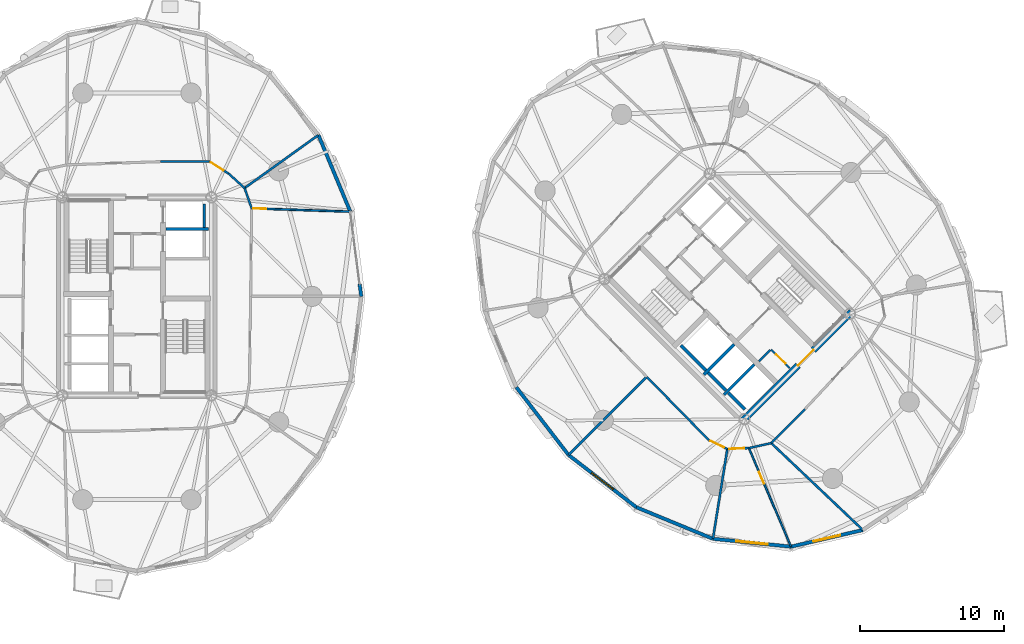
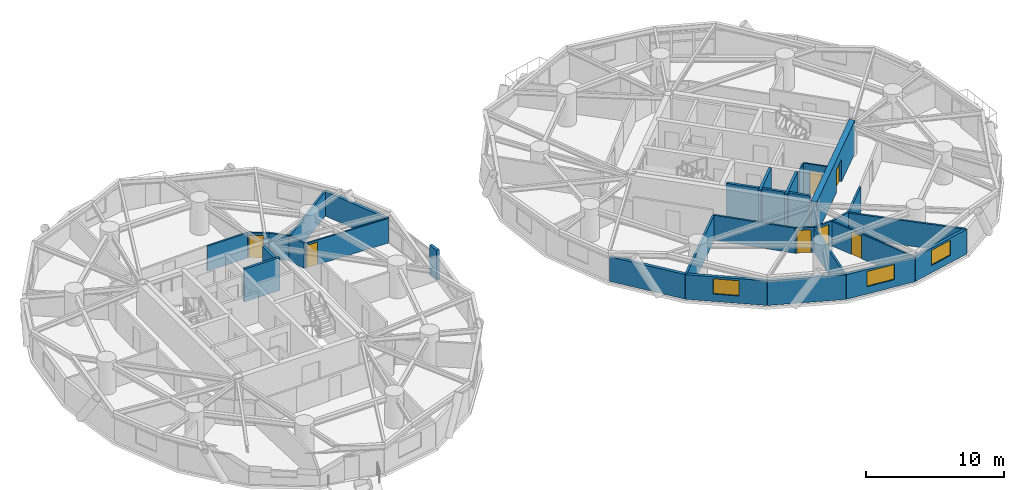
# One storey, part 11 of 17: 32 walls, 7 doors, 3 windows, 10 openings.
"""IFC4 building model written with IfcOpenShell, lengths in metres."""

from ifc_helpers import new_model, si_unit, direction, frame, frame_2d, origin, place, context, subcontext, project, spatial, rectangle, extrude, source, transform, mapped, material, layer, layer_set, type_object, element, fill, save


model = new_model("IFC4")

# Units and contexts
model_context = context("Model", 3, precision=1e-05, world=origin(), true_north=direction((0.0, 1.0)))
body_context = subcontext(model_context, "Body", "Model", "MODEL_VIEW")
ifc_project = project(units=[si_unit("LENGTHUNIT", "METRE"), si_unit("AREAUNIT", "SQUARE_METRE"), si_unit("VOLUMEUNIT", "CUBIC_METRE"), si_unit("PLANEANGLEUNIT", "RADIAN"), si_unit("MASSUNIT", "GRAM", prefix="KILO")], contexts=[model_context])

# Site, building, storey
site_placement = place(None, origin())
site = spatial("IfcSite", under=ifc_project, at=site_placement, CompositionType="ELEMENT")
building_placement = place(site_placement, origin())
building = spatial("IfcBuilding", under=site, at=building_placement, Name="Cununo Teusaquillo Station Towers", CompositionType="ELEMENT")
storey_placement = place(building_placement, frame((0.0, 0.0, 78.8798828125)))
storey = spatial("IfcBuildingStorey", under=building, at=storey_placement, Name="L24", CompositionType="ELEMENT", Elevation=78.8798828125)

# Walls
ifc_material_1 = material(Name="Concrete C50/60", Category="concrete")
ifc_layer_1 = layer(ifc_material_1, 0.199951171875)
ifc_layer_set_1 = layer_set([ifc_layer_1], Name="Concrete C50/60")
wall_type_1 = type_object("IfcWallType", Name="WL-CORE-200", PredefinedType="SHEAR", material=ifc_layer_set_1)
wall_1_placement = place(storey_placement, frame((18.510009765625, 29.175048828125, 0.0), z_axis=(0.0, 0.0, 1.0), x_axis=(1.0, 0.0, 0.0)))
element("IfcWall", 1, at=wall_1_placement, inside=storey, type_object=wall_type_1, Name="L24 Tower A Low-Rise Lift Hoistway Divider Shear Wall", PredefinedType="SHEAR", context=body_context, shape_type="SweptSolid", body=[
    extrude(rectangle(XDim=2.969970703125, YDim=0.199951171875, at=frame_2d((1.48486328125, 0.0))), origin(), (0.0, 0.0, 1.0), 2.91015625),
])
wall_2_placement = place(storey_placement, frame((21.179931640625, 29.294921875, 0.0), z_axis=(0.0, 0.0, 1.0), x_axis=(0.0, 1.0, 0.0)))
element("IfcWall", 2, at=wall_2_placement, inside=storey, type_object=wall_type_1, Name="L24 Tower A Low-Rise Lift 2 Shaft Rear Shear Wall", PredefinedType="SHEAR", context=body_context, shape_type="SweptSolid", body=[
    extrude(rectangle(XDim=1.635009765625, YDim=0.199951171875, at=frame_2d((0.8173828125, 0.0))), origin(), (0.0, 0.0, 1.0), 2.91015625),
])
wall_3_placement = place(storey_placement, frame((55.8876953125, 19.0693359375, 0.0), z_axis=(0.0, 0.0, 1.0), x_axis=(0.707106781187, 0.707106781187, 0.0)))
element("IfcWall", 3, at=wall_3_placement, inside=storey, type_object=wall_type_1, Name="L24 Tower B Firefighting Lift Shaft South Shear Wall", PredefinedType="SHEAR", context=body_context, shape_type="SweptSolid", body=[
    extrude(rectangle(XDim=2.969970703125, YDim=0.199951171875, at=frame_2d((1.48486328125, 0.0))), origin(), (0.0, 0.0, 1.0), 2.91015625),
])
wall_4_placement = place(storey_placement, frame((56.01513671875, 19.366455078125, 0.0), z_axis=(0.0, 0.0, 1.0), x_axis=(-0.707106781187, 0.707106781187, 0.0)))
element("IfcWall", 4, at=wall_4_placement, inside=storey, type_object=wall_type_1, Name="L24 Tower B Firefighting Lift Shaft Rear Shear Wall", PredefinedType="SHEAR", context=body_context, shape_type="SweptSolid", body=[
    extrude(rectangle(XDim=2.43994140625, YDim=0.199951171875, at=frame_2d((1.219970703125, 0.0))), origin(), (0.0, 0.0, 1.0), 2.91015625),
])
wall_5_placement = place(storey_placement, frame((57.2841796875, 17.6728515625, 0.0), z_axis=(0.0, 0.0, 1.0), x_axis=(0.707147878904, 0.70706568108, 0.0)))
element("IfcWall", 5, at=wall_5_placement, inside=storey, type_object=wall_type_1, Name="L24 Tower B High-Rise Lift Hoistway Divider Shear Wall", PredefinedType="SHEAR", context=body_context, shape_type="SweptSolid", body=[
    extrude(rectangle(XDim=2.97021484375, YDim=0.199951171875, at=frame_2d((1.485107421875, 0.0))), origin(), (0.0, 0.0, 1.0), 2.91015625),
])
wall_6_placement = place(storey_placement, frame((57.41162109375, 17.969970703125, 0.0), z_axis=(0.0, 0.0, 1.0), x_axis=(-0.707106781187, 0.707106781187, 0.0)))
element("IfcWall", 6, at=wall_6_placement, inside=storey, type_object=wall_type_1, Name="L24 Tower B High-Rise Lift 2 Shaft Rear Shear Wall", PredefinedType="SHEAR", context=body_context, shape_type="SweptSolid", body=[
    extrude(rectangle(XDim=1.73486328125, YDim=0.199951171875, at=frame_2d((0.867431640625, 0.0))), origin(), (0.0, 0.0, 1.0), 2.91015625),
])
wall_7_placement = place(storey_placement, frame((58.7373046875, 16.64404296875, 0.0), z_axis=(0.0, 0.0, 1.0), x_axis=(-0.707032117043, 0.707181437447, 0.0)))
element("IfcWall", 7, at=wall_7_placement, inside=storey, type_object=wall_type_1, Name="L24 Tower B High-Rise Lift 1 Shaft Rear Shear Wall", PredefinedType="SHEAR", context=body_context, shape_type="SweptSolid", body=[
    extrude(rectangle(XDim=1.635009765625, YDim=0.199951171875, at=frame_2d((0.8173828125, 0.0))), origin(), (0.0, 0.0, 1.0), 2.91015625),
])

# Wall, opening, door
ifc_material_2 = material(Name="Concrete C60/75", Category="concrete")
ifc_layer_2 = layer(ifc_material_2, 0.449951171875)
ifc_layer_set_2 = layer_set([ifc_layer_2], Name="Concrete C60/75")
wall_type_2 = type_object("IfcWallType", Name="WL-CORE-450", PredefinedType="SHEAR", material=ifc_layer_set_2)
wall_8_placement = place(storey_placement, frame((58.578369140625, 15.855712890625, 0.0), z_axis=(0.0, 0.0, 1.0), x_axis=(0.707106781187, 0.707106781187, 0.0)))
wall_8 = element("IfcWall", 8, at=wall_8_placement, inside=storey, type_object=wall_type_2, Name="L24 Tower B Core Shear Wall S", PredefinedType="SHEAR", context=body_context, shape_type="SweptSolid", body=[
    extrude(rectangle(XDim=10.69970703125, YDim=0.449951171875, at=frame_2d((5.349853515625, 0.0))), origin(), (0.0, 0.0, 1.0), 2.91015625),
])
shared_shape_1 = source(origin(), body_context, "Body", "SweptSolid", [
    extrude(rectangle(XDim=1.5, YDim=2.02001953125, at=frame_2d((0.75, 1.010009765625))), frame((0.0, 0.23486328125, 0.0), z_axis=(0.0, -1.0, 0.0), x_axis=(1.0, 0.0, 0.0)), (0.0, 0.0, 1.0), 0.469970703125),
])
opening_1_placement = place(wall_8_placement, frame((5.449951171875, 0.0, 0.0)))
opening_1 = element("IfcOpeningElement", 9, at=opening_1_placement, cuts=wall_8, Name="Opening D-LB1", PredefinedType="OPENING", context=body_context, shape_type="MappedRepresentation", body=[
    mapped(shared_shape_1, transform((0.0, 0.0, 0.0), x_axis=(1.0, 0.0, 0.0), y_axis=(0.0, 1.0, 0.0), z_axis=(0.0, 0.0, 1.0), scale=1.0)),
])
ifc_material_3 = material(Name="Galvanised fire-rated hollow steel door assembly", Category="steel")
door_type_1 = type_object("IfcDoorType", Name="DR-LOBBY-1500", OperationType="DOUBLE_DOOR_SINGLE_SWING", PredefinedType="DOOR", material=ifc_material_3)
shared_shape_2 = source(origin(), body_context, "Body", "SweptSolid", [
    extrude(rectangle(XDim=1.5, YDim=2.02001953125, at=frame_2d((0.75, 1.010009765625))), frame((0.0, 0.02490234375, 0.0), z_axis=(0.0, -1.0, 0.0), x_axis=(1.0, 0.0, 0.0)), (0.0, 0.0, 1.0), 0.050048828125),
])
door_1_placement = place(opening_1_placement, origin())
door_1 = element("IfcDoor", 10, at=door_1_placement, inside=storey, type_object=door_type_1, Name="L24 Tower B South Core Lift Lobby Door", OperationType="DOUBLE_DOOR_SINGLE_SWING", OverallHeight=2.02001953125, OverallWidth=1.5, PredefinedType="DOOR", context=body_context, shape_type="MappedRepresentation", body=[
    mapped(shared_shape_2, transform((0.0, 0.0, 0.0), x_axis=(1.0, 0.0, 0.0), y_axis=(0.0, 1.0, 0.0), z_axis=(0.0, 0.0, 1.0), scale=1.0)),
])
fill(opening_1, door_1)

# Walls
ifc_material_4 = material(Name="Precast concrete C40/50", Category="concrete")
ifc_layer_3 = layer(ifc_material_4, 0.239990234375)
ifc_layer_set_3 = layer_set([ifc_layer_3], Name="Precast concrete C40/50")
wall_type_3 = type_object("IfcWallType", Name="WL-EXT-240", PredefinedType="SOLIDWALL", material=ifc_layer_set_3)
wall_9_placement = place(storey_placement, frame((31.96923828125, 25.36279296875, 0.0), z_axis=(0.0, 0.0, 1.0), x_axis=(0.128523364007, -0.991706481225, 0.0)))
element("IfcWall", 11, at=wall_9_placement, inside=storey, type_object=wall_type_3, Name="L24 Tower A Column Pier Cladding Wall C00-PB", PredefinedType="SOLIDWALL", context=body_context, shape_type="SweptSolid", body=[
    extrude(rectangle(XDim=0.8701171875, YDim=0.239990234375, at=frame_2d((0.43505859375, 0.0))), origin(), (0.0, 0.0, 1.0), 2.655029296875),
])
wall_10_placement = place(storey_placement, frame((29.105224609375, 35.708984375, 0.0), z_axis=(0.0, 0.0, 1.0), x_axis=(0.384344417632, -0.923189779317, 0.0)))
element("IfcWall", 12, at=wall_10_placement, inside=storey, type_object=wall_type_3, Name="L24 Tower A Exterior Facade Wall C01", PredefinedType="SOLIDWALL", context=body_context, shape_type="SweptSolid", body=[
    extrude(rectangle(XDim=5.75830078125, YDim=0.239990234375, at=frame_2d((2.879150390625, 0.0))), origin(), (0.0, 0.0, 1.0), 2.17919921875),
])
wall_11_placement = place(storey_placement, frame((46.482666015625, 13.482666015625, 0.0), z_axis=(0.0, 0.0, 1.0), x_axis=(-0.61054437102, 0.791982052206, 0.0)))
element("IfcWall", 13, at=wall_11_placement, inside=storey, type_object=wall_type_3, Name="L24 Tower B Exterior Facade Wall C09", PredefinedType="SOLIDWALL", context=body_context, shape_type="SweptSolid", body=[
    extrude(rectangle(XDim=5.942138671875, YDim=0.239990234375, at=frame_2d((2.97119140625, 0.0))), origin(), (0.0, 0.0, 1.0), 2.17919921875),
])

# Wall, opening, window
wall_12_placement = place(storey_placement, frame((51.188720703125, 9.854736328125, 0.0), z_axis=(0.0, 0.0, 1.0), x_axis=(-0.791982052206, 0.61054437102, 0.0)))
wall_12 = element("IfcWall", 14, at=wall_12_placement, inside=storey, type_object=wall_type_3, Name="L24 Tower B Exterior Facade Wall C10", PredefinedType="SOLIDWALL", context=body_context, shape_type="SweptSolid", body=[
    extrude(rectangle(XDim=5.942138671875, YDim=0.239990234375, at=frame_2d((2.97119140625, 0.0))), origin(), (0.0, 0.0, 1.0), 2.17919921875),
])
shared_shape_3 = source(origin(), body_context, "Body", "SweptSolid", [
    extrude(rectangle(XDim=1.89990234375, YDim=1.35009765625, at=frame_2d((0.949951171875, 0.675048828125))), frame((0.0, 0.1298828125, 0.0), z_axis=(0.0, -1.0, 0.0), x_axis=(1.0, 0.0, 0.0)), (0.0, 0.0, 1.0), 0.260009765625),
])
opening_2_placement = place(wall_12_placement, frame((2.02099609375, 0.0, 0.64990234375)))
opening_2 = element("IfcOpeningElement", 15, at=opening_2_placement, cuts=wall_12, Name="Opening WN-02", PredefinedType="OPENING", context=body_context, shape_type="MappedRepresentation", body=[
    mapped(shared_shape_3, transform((0.0, 0.0, 0.0), x_axis=(1.0, 0.0, 0.0), y_axis=(0.0, 1.0, 0.0), z_axis=(0.0, 0.0, 1.0), scale=1.0)),
])
ifc_material_5 = material(Name="Operable acoustic tinted low-E double glazing", Category="glass")
window_type_1 = type_object("IfcWindowType", Name="WIN-OPER-1900", PartitioningType="DOUBLE_PANEL_VERTICAL", PredefinedType="WINDOW", material=ifc_material_5)
shared_shape_4 = source(origin(), body_context, "Body", "SweptSolid", [
    extrude(rectangle(XDim=1.89990234375, YDim=1.35009765625, at=frame_2d((0.949951171875, 0.675048828125))), frame((0.0, 0.030029296875, 0.0), z_axis=(0.0, -1.0, 0.0), x_axis=(1.0, 0.0, 0.0)), (0.0, 0.0, 1.0), 0.06005859375),
])
window_1_placement = place(opening_2_placement, origin())
window_1 = element("IfcWindow", 16, at=window_1_placement, inside=storey, type_object=window_type_1, Name="L24 Tower B Facade Window C10", OverallHeight=1.35009765625, OverallWidth=1.89990234375, PartitioningType="DOUBLE_PANEL_VERTICAL", PredefinedType="WINDOW", context=body_context, shape_type="MappedRepresentation", body=[
    mapped(shared_shape_4, transform((0.0, 0.0, 0.0), x_axis=(1.0, 0.0, 0.0), y_axis=(0.0, 1.0, 0.0), z_axis=(0.0, 0.0, 1.0), scale=1.0)),
])
fill(opening_2, window_1)

# Wall
wall_13_placement = place(storey_placement, frame((56.5126953125, 7.66064453125, 0.0), z_axis=(0.0, 0.0, 1.0), x_axis=(-0.924563909604, 0.381027003055, 0.0)))
element("IfcWall", 17, at=wall_13_placement, inside=storey, type_object=wall_type_3, Name="L24 Tower B Exterior Facade Wall C11", PredefinedType="SOLIDWALL", context=body_context, shape_type="SweptSolid", body=[
    extrude(rectangle(XDim=5.75830078125, YDim=0.239990234375, at=frame_2d((2.879150390625, 0.0))), origin(), (0.0, 0.0, 1.0), 2.17919921875),
])

# Wall, opening, window
wall_14_placement = place(storey_placement, frame((61.933349609375, 7.114990234375, 0.0), z_axis=(0.0, 0.0, 1.0), x_axis=(-0.994971754311, 0.10015591906, 0.0)))
wall_14 = element("IfcWall", 18, at=wall_14_placement, inside=storey, type_object=wall_type_3, Name="L24 Tower B Exterior Facade Wall C12", PredefinedType="SOLIDWALL", context=body_context, shape_type="SweptSolid", body=[
    extrude(rectangle(XDim=5.447998046875, YDim=0.239990234375, at=frame_2d((2.72412109375, 0.0))), origin(), (0.0, 0.0, 1.0), 2.17919921875),
])
shared_shape_5 = source(origin(), body_context, "Body", "SweptSolid", [
    extrude(rectangle(XDim=2.199951171875, YDim=1.35009765625, at=frame_2d((1.10009765625, 0.675048828125))), frame((0.0, 0.1298828125, 0.0), z_axis=(0.0, -1.0, 0.0), x_axis=(1.0, 0.0, 0.0)), (0.0, 0.0, 1.0), 0.260009765625),
])
opening_3_placement = place(wall_14_placement, frame((1.6240234375, 0.0, 0.64990234375)))
opening_3 = element("IfcOpeningElement", 19, at=opening_3_placement, cuts=wall_14, Name="Opening WN-01", PredefinedType="OPENING", context=body_context, shape_type="MappedRepresentation", body=[
    mapped(shared_shape_5, transform((0.0, 0.0, 0.0), x_axis=(1.0, 0.0, 0.0), y_axis=(0.0, 1.0, 0.0), z_axis=(0.0, 0.0, 1.0), scale=1.0)),
])
ifc_material_6 = material(Name="Ceramic-fritted dark low-E double glazing", Category="glass")
window_type_2 = type_object("IfcWindowType", Name="WIN-FRIT-2200", PartitioningType="DOUBLE_PANEL_VERTICAL", PredefinedType="WINDOW", material=ifc_material_6)
shared_shape_6 = source(origin(), body_context, "Body", "SweptSolid", [
    extrude(rectangle(XDim=2.199951171875, YDim=1.35009765625, at=frame_2d((1.10009765625, 0.675048828125))), frame((0.0, 0.030029296875, 0.0), z_axis=(0.0, -1.0, 0.0), x_axis=(1.0, 0.0, 0.0)), (0.0, 0.0, 1.0), 0.06005859375),
])
window_2_placement = place(opening_3_placement, origin())
window_2 = element("IfcWindow", 20, at=window_2_placement, inside=storey, type_object=window_type_2, Name="L24 Tower B Facade Window C12", OverallHeight=1.35009765625, OverallWidth=2.199951171875, PartitioningType="DOUBLE_PANEL_VERTICAL", PredefinedType="WINDOW", context=body_context, shape_type="MappedRepresentation", body=[
    mapped(shared_shape_6, transform((0.0, 0.0, 0.0), x_axis=(1.0, 0.0, 0.0), y_axis=(0.0, 1.0, 0.0), z_axis=(0.0, 0.0, 1.0), scale=1.0)),
])
fill(opening_3, window_2)

wall_15_placement = place(storey_placement, frame((66.919921875, 8.27099609375, 0.0), z_axis=(0.0, 0.0, 1.0), x_axis=(-0.974165631126, -0.225834725257, 0.0)))
wall_15 = element("IfcWall", 21, at=wall_15_placement, inside=storey, type_object=wall_type_3, Name="L24 Tower B Exterior Facade Wall C13", PredefinedType="SOLIDWALL", context=body_context, shape_type="SweptSolid", body=[
    extrude(rectangle(XDim=5.118896484375, YDim=0.239990234375, at=frame_2d((2.5595703125, 0.0))), origin(), (0.0, 0.0, 1.0), 2.17919921875),
])
opening_4_placement = place(wall_15_placement, frame((1.60888671875, 0.0, 0.64990234375)))
opening_4 = element("IfcOpeningElement", 22, at=opening_4_placement, cuts=wall_15, Name="Opening WN-02", PredefinedType="OPENING", context=body_context, shape_type="MappedRepresentation", body=[
    mapped(shared_shape_3, transform((0.0, 0.0, 0.0), x_axis=(1.0, 0.0, 0.0), y_axis=(0.0, 1.0, 0.0), z_axis=(0.0, 0.0, 1.0), scale=1.0)),
])
window_3_placement = place(opening_4_placement, origin())
window_3 = element("IfcWindow", 23, at=window_3_placement, inside=storey, type_object=window_type_1, Name="L24 Tower B Facade Window C13", OverallHeight=1.35009765625, OverallWidth=1.89990234375, PartitioningType="DOUBLE_PANEL_VERTICAL", PredefinedType="WINDOW", context=body_context, shape_type="MappedRepresentation", body=[
    mapped(shared_shape_4, transform((0.0, 0.0, 0.0), x_axis=(1.0, 0.0, 0.0), y_axis=(0.0, 1.0, 0.0), z_axis=(0.0, 0.0, 1.0), scale=1.0)),
])
fill(opening_4, window_3)

# Wall, opening, door
ifc_material_7 = material(Name="Fire-rated gypsum plasterboard partition assembly", Category="gypsum")
ifc_layer_4 = layer(ifc_material_7, 0.125)
ifc_layer_set_4 = layer_set([ifc_layer_4], Name="Fire-rated gypsum plasterboard partition assembly")
wall_type_4 = type_object("IfcWallType", Name="WL-PART-125", PredefinedType="PARTITIONING", material=ifc_layer_set_4)
wall_16_placement = place(storey_placement, frame((24.468994140625, 30.614013671875, 0.0), z_axis=(0.0, 0.0, 1.0), x_axis=(0.999446768925, -0.033258924898, 0.0)))
wall_16 = element("IfcWall", 24, at=wall_16_placement, inside=storey, type_object=wall_type_4, Name="L24 Tower A Senior Partners Law Chambers Suite Subdividing Wall", PredefinedType="PARTITIONING", context=body_context, shape_type="SweptSolid", body=[
    extrude(rectangle(XDim=6.833984375, YDim=0.125, at=frame_2d((3.4169921875, 0.0))), origin(), (0.0, 0.0, 1.0), 2.17919921875),
])
shared_shape_7 = source(origin(), body_context, "Body", "SweptSolid", [
    extrude(rectangle(XDim=0.89990234375, YDim=2.0048828125, at=frame_2d((0.449951171875, 1.00244140625))), frame((0.0, 0.072509765625, 0.0), z_axis=(0.0, -1.0, 0.0), x_axis=(1.0, 0.0, 0.0)), (0.0, 0.0, 1.0), 0.14501953125),
])
opening_5_placement = place(wall_16_placement, frame((0.1201171875, 0.0, 0.0)))
opening_5 = element("IfcOpeningElement", 25, at=opening_5_placement, cuts=wall_16, Name="Opening D-IN1", PredefinedType="OPENING", context=body_context, shape_type="MappedRepresentation", body=[
    mapped(shared_shape_7, transform((0.0, 0.0, 0.0), x_axis=(1.0, 0.0, 0.0), y_axis=(0.0, 1.0, 0.0), z_axis=(0.0, 0.0, 1.0), scale=1.0)),
])
ifc_material_8 = material(Name="Acoustic solid-core hardwood leaf assembly", Category="wood")
door_type_2 = type_object("IfcDoorType", Name="DR-INT-900", OperationType="NOTDEFINED", PredefinedType="DOOR", material=ifc_material_8)
shared_shape_8 = source(origin(), body_context, "Body", "SweptSolid", [
    extrude(rectangle(XDim=0.89990234375, YDim=2.0048828125, at=frame_2d((0.449951171875, 1.00244140625))), frame((0.0, 0.02490234375, 0.0), z_axis=(0.0, -1.0, 0.0), x_axis=(1.0, 0.0, 0.0)), (0.0, 0.0, 1.0), 0.050048828125),
])
door_2_placement = place(opening_5_placement, origin())
door_2 = element("IfcDoor", 26, at=door_2_placement, inside=storey, type_object=door_type_2, Name="L24 Tower A Senior Partners Law Chambers Suite Connecting Door", OperationType="SINGLE_SWING_RIGHT", OverallHeight=2.0048828125, OverallWidth=0.89990234375, PredefinedType="DOOR", context=body_context, shape_type="MappedRepresentation", body=[
    mapped(shared_shape_8, transform((0.0, 0.0, 0.0), x_axis=(1.0, 0.0, 0.0), y_axis=(0.0, 1.0, 0.0), z_axis=(0.0, 0.0, 1.0), scale=1.0)),
])
fill(opening_5, door_2)

wall_17_placement = place(storey_placement, frame((61.834716796875, 19.529052734375, 0.0), z_axis=(0.0, 0.0, 1.0), x_axis=(-0.707174592913, 0.707038962956, 0.0)))
wall_17 = element("IfcWall", 27, at=wall_17_placement, inside=storey, type_object=wall_type_4, Name="L24 Tower B South-West Compact Store East Wall", PredefinedType="PARTITIONING", context=body_context, shape_type="SweptSolid", body=[
    extrude(rectangle(XDim=1.800048828125, YDim=0.125, at=frame_2d((0.89990234375, 0.0))), origin(), (0.0, 0.0, 1.0), 2.655029296875),
])
opening_6_placement = place(wall_17_placement, frame((0.419921875, 0.0, 0.0)))
opening_6 = element("IfcOpeningElement", 28, at=opening_6_placement, cuts=wall_17, Name="Opening D-SR1", PredefinedType="OPENING", context=body_context, shape_type="MappedRepresentation", body=[
    mapped(shared_shape_7, transform((0.0, 0.0, 0.0), x_axis=(1.0, 0.0, 0.0), y_axis=(0.0, 1.0, 0.0), z_axis=(0.0, 0.0, 1.0), scale=1.0)),
])
ifc_material_9 = material(Name="Galvanised fire-rated hollow steel door assembly", Category="steel")
door_type_3 = type_object("IfcDoorType", Name="DR-STORE-900", OperationType="NOTDEFINED", PredefinedType="DOOR", material=ifc_material_9)
door_3_placement = place(opening_6_placement, origin())
door_3 = element("IfcDoor", 29, at=door_3_placement, inside=storey, type_object=door_type_3, Name="L24 Tower B Core Electrical & Comms Store Door", OperationType="SINGLE_SWING_LEFT", OverallHeight=2.0048828125, OverallWidth=0.89990234375, PredefinedType="DOOR", context=body_context, shape_type="MappedRepresentation", body=[
    mapped(shared_shape_8, transform((0.0, 0.0, 0.0), x_axis=(1.0, 0.0, 0.0), y_axis=(0.0, 1.0, 0.0), z_axis=(0.0, 0.0, 1.0), scale=1.0)),
])
fill(opening_6, door_3)

# Wall
wall_18_placement = place(storey_placement, frame((59.713134765625, 19.99560546875, 0.0), z_axis=(0.0, 0.0, 1.0), x_axis=(0.707217726, 0.706995818963, 0.0)))
element("IfcWall", 30, at=wall_18_placement, inside=storey, type_object=wall_type_4, Name="L24 Tower B South-West Compact Store North Wall", PredefinedType="PARTITIONING", context=body_context, shape_type="SweptSolid", body=[
    extrude(rectangle(XDim=1.10009765625, YDim=0.125, at=frame_2d((0.550048828125, 0.0))), origin(), (0.0, 0.0, 1.0), 2.655029296875),
])

# Wall, opening, door
wall_19_placement = place(storey_placement, frame((59.008056640625, 13.962890625, 0.0), z_axis=(0.0, 0.0, 1.0), x_axis=(0.393439207333, -0.919350635032, 0.0)))
wall_19 = element("IfcWall", 31, at=wall_19_placement, inside=storey, type_object=wall_type_4, Name="L24 Tower B Video Deposition Conference Room Suite Subdividing Wall", PredefinedType="PARTITIONING", context=body_context, shape_type="SweptSolid", body=[
    extrude(rectangle(XDim=7.427001953125, YDim=0.125, at=frame_2d((3.71337890625, 0.0))), origin(), (0.0, 0.0, 1.0), 2.17919921875),
])
opening_7_placement = place(wall_19_placement, frame((1.800048828125, 0.0, 0.0)))
opening_7 = element("IfcOpeningElement", 32, at=opening_7_placement, cuts=wall_19, Name="Opening D-IN1", PredefinedType="OPENING", context=body_context, shape_type="MappedRepresentation", body=[
    mapped(shared_shape_7, transform((0.0, 0.0, 0.0), x_axis=(1.0, 0.0, 0.0), y_axis=(0.0, 1.0, 0.0), z_axis=(0.0, 0.0, 1.0), scale=1.0)),
])
door_4_placement = place(opening_7_placement, origin())
door_4 = element("IfcDoor", 33, at=door_4_placement, inside=storey, type_object=door_type_2, Name="L24 Tower B Video Deposition Conference Room Suite Connecting Door", OperationType="SINGLE_SWING_RIGHT", OverallHeight=2.0048828125, OverallWidth=0.89990234375, PredefinedType="DOOR", context=body_context, shape_type="MappedRepresentation", body=[
    mapped(shared_shape_8, transform((0.0, 0.0, 0.0), x_axis=(1.0, 0.0, 0.0), y_axis=(0.0, 1.0, 0.0), z_axis=(0.0, 0.0, 1.0), scale=1.0)),
])
fill(opening_7, door_4)

# Walls
ifc_material_10 = material(Name="Fire-rated gypsum plasterboard partition assembly", Category="gypsum")
ifc_layer_5 = layer(ifc_material_10, 0.14990234375)
ifc_layer_set_5 = layer_set([ifc_layer_5], Name="Fire-rated gypsum plasterboard partition assembly")
wall_type_5 = type_object("IfcWallType", Name="WL-PART-150", PredefinedType="PARTITIONING", material=ifc_layer_set_5)
wall_20_placement = place(storey_placement, frame((24.468994140625, 30.614013671875, 0.0), z_axis=(0.0, 0.0, 1.0), x_axis=(-0.327228335485, 0.944945298129, 0.0)))
element("IfcWall", 34, at=wall_20_placement, inside=storey, type_object=wall_type_5, Name="L24 Tower A Corridor Ring Wall C01", PredefinedType="PARTITIONING", context=body_context, shape_type="SweptSolid", body=[
    extrude(rectangle(XDim=1.4951171875, YDim=0.14990234375, at=frame_2d((0.74755859375, 0.0))), origin(), (0.0, 0.0, 1.0), 2.22509765625),
])
wall_21_placement = place(storey_placement, frame((23.979736328125, 32.02685546875, 0.0), z_axis=(0.0, 0.0, 1.0), x_axis=(-0.742353224332, 0.670008724065, 0.0)))
element("IfcWall", 35, at=wall_21_placement, inside=storey, type_object=wall_type_5, Name="L24 Tower A Corridor Ring Wall C02", PredefinedType="PARTITIONING", context=body_context, shape_type="SweptSolid", body=[
    extrude(rectangle(XDim=1.48486328125, YDim=0.14990234375, at=frame_2d((0.742431640625, 0.0))), origin(), (0.0, 0.0, 1.0), 2.22509765625),
])

# Wall, opening, door
wall_22_placement = place(storey_placement, frame((22.87744140625, 33.021728515625, 0.0), z_axis=(0.0, 0.0, 1.0), x_axis=(-0.845895608855, 0.533348496689, 0.0)))
wall_22 = element("IfcWall", 36, at=wall_22_placement, inside=storey, type_object=wall_type_5, Name="L24 Tower A Corridor Ring Wall C03", PredefinedType="PARTITIONING", context=body_context, shape_type="SweptSolid", body=[
    extrude(rectangle(XDim=1.5966796875, YDim=0.14990234375, at=frame_2d((0.79833984375, 0.0))), origin(), (0.0, 0.0, 1.0), 2.22509765625),
])
shared_shape_9 = source(origin(), body_context, "Body", "SweptSolid", [
    extrude(rectangle(XDim=1.050048828125, YDim=2.014892578125, at=frame_2d((0.52490234375, 1.00732421875))), frame((0.0, 0.0849609375, 0.0), z_axis=(0.0, -1.0, 0.0), x_axis=(1.0, 0.0, 0.0)), (0.0, 0.0, 1.0), 0.169921875),
])
opening_8_placement = place(wall_22_placement, frame((0.4267578125, 0.0, 0.0)))
opening_8 = element("IfcOpeningElement", 37, at=opening_8_placement, cuts=wall_22, Name="Opening D-SU1", PredefinedType="OPENING", context=body_context, shape_type="MappedRepresentation", body=[
    mapped(shared_shape_9, transform((0.0, 0.0, 0.0), x_axis=(1.0, 0.0, 0.0), y_axis=(0.0, 1.0, 0.0), z_axis=(0.0, 0.0, 1.0), scale=1.0)),
])
ifc_material_11 = material(Name="Acoustic solid-core hardwood leaf assembly", Category="wood")
door_type_4 = type_object("IfcDoorType", Name="DR-SUITE-1050", OperationType="NOTDEFINED", PredefinedType="DOOR", material=ifc_material_11)
shared_shape_10 = source(origin(), body_context, "Body", "SweptSolid", [
    extrude(rectangle(XDim=1.050048828125, YDim=2.014892578125, at=frame_2d((0.52490234375, 1.00732421875))), frame((0.0, 0.02490234375, 0.0), z_axis=(0.0, -1.0, 0.0), x_axis=(1.0, 0.0, 0.0)), (0.0, 0.0, 1.0), 0.050048828125),
])
door_5_placement = place(opening_8_placement, origin())
door_5 = element("IfcDoor", 38, at=door_5_placement, inside=storey, type_object=door_type_4, Name="L24 Tower A Legal Arbitration Hearing Room Entrance Door", OperationType="SINGLE_SWING_LEFT", OverallHeight=2.014892578125, OverallWidth=1.050048828125, PredefinedType="DOOR", context=body_context, shape_type="MappedRepresentation", body=[
    mapped(shared_shape_10, transform((0.0, 0.0, 0.0), x_axis=(1.0, 0.0, 0.0), y_axis=(0.0, 1.0, 0.0), z_axis=(0.0, 0.0, 1.0), scale=1.0)),
])
fill(opening_8, door_5)

# Walls
wall_23_placement = place(storey_placement, frame((21.52685546875, 33.873291015625, 0.0), z_axis=(0.0, 0.0, 1.0), x_axis=(-0.999991838845, -0.004040079574, 0.0)))
element("IfcWall", 39, at=wall_23_placement, inside=storey, type_object=wall_type_5, Name="L24 Tower A Corridor Ring Wall C04", PredefinedType="PARTITIONING", context=body_context, shape_type="SweptSolid", body=[
    extrude(rectangle(XDim=3.384033203125, YDim=0.14990234375, at=frame_2d((1.69189453125, 0.0))), origin(), (0.0, 0.0, 1.0), 2.22509765625),
])
wall_24_placement = place(storey_placement, frame((51.913818359375, 18.913818359375, 0.0), z_axis=(0.0, 0.0, 1.0), x_axis=(0.699999313799, -0.714143515465, 0.0)))
element("IfcWall", 40, at=wall_24_placement, inside=storey, type_object=wall_type_5, Name="L24 Tower B Corridor Ring Wall C10", PredefinedType="PARTITIONING", context=body_context, shape_type="SweptSolid", body=[
    extrude(rectangle(XDim=6.162109375, YDim=0.14990234375, at=frame_2d((3.0810546875, 0.0))), origin(), (0.0, 0.0, 1.0), 2.22509765625),
])

# Wall, opening, door
wall_25_placement = place(storey_placement, frame((56.227294921875, 14.51318359375, 0.0), z_axis=(0.0, 0.0, 1.0), x_axis=(0.901477579283, -0.432825801044, 0.0)))
wall_25 = element("IfcWall", 41, at=wall_25_placement, inside=storey, type_object=wall_type_5, Name="L24 Tower B Corridor Ring Wall C11", PredefinedType="PARTITIONING", context=body_context, shape_type="SweptSolid", body=[
    extrude(rectangle(XDim=1.42431640625, YDim=0.14990234375, at=frame_2d((0.712158203125, 0.0))), origin(), (0.0, 0.0, 1.0), 2.22509765625),
])
opening_9_placement = place(wall_25_placement, frame((0.1201171875, 0.0, 0.0)))
opening_9 = element("IfcOpeningElement", 42, at=opening_9_placement, cuts=wall_25, Name="Opening D-SU1", PredefinedType="OPENING", context=body_context, shape_type="MappedRepresentation", body=[
    mapped(shared_shape_9, transform((0.0, 0.0, 0.0), x_axis=(1.0, 0.0, 0.0), y_axis=(0.0, 1.0, 0.0), z_axis=(0.0, 0.0, 1.0), scale=1.0)),
])
door_6_placement = place(opening_9_placement, origin())
door_6 = element("IfcDoor", 43, at=door_6_placement, inside=storey, type_object=door_type_4, Name="L24 Tower B Managing Partner Corner Chambers Entrance Door", OperationType="SINGLE_SWING_RIGHT", OverallHeight=2.014892578125, OverallWidth=1.050048828125, PredefinedType="DOOR", context=body_context, shape_type="MappedRepresentation", body=[
    mapped(shared_shape_10, transform((0.0, 0.0, 0.0), x_axis=(1.0, 0.0, 0.0), y_axis=(0.0, 1.0, 0.0), z_axis=(0.0, 0.0, 1.0), scale=1.0)),
])
fill(opening_9, door_6)

wall_26_placement = place(storey_placement, frame((57.51123046875, 13.896728515625, 0.0), z_axis=(0.0, 0.0, 1.0), x_axis=(0.999024538494, 0.044158481476, 0.0)))
wall_26 = element("IfcWall", 44, at=wall_26_placement, inside=storey, type_object=wall_type_5, Name="L24 Tower B Corridor Ring Wall C12", PredefinedType="PARTITIONING", context=body_context, shape_type="SweptSolid", body=[
    extrude(rectangle(XDim=1.498291015625, YDim=0.14990234375, at=frame_2d((0.7490234375, 0.0))), origin(), (0.0, 0.0, 1.0), 2.22509765625),
])
opening_10_placement = place(wall_26_placement, frame((0.1201171875, 0.0, 0.0)))
opening_10 = element("IfcOpeningElement", 45, at=opening_10_placement, cuts=wall_26, Name="Opening D-SU1", PredefinedType="OPENING", context=body_context, shape_type="MappedRepresentation", body=[
    mapped(shared_shape_9, transform((0.0, 0.0, 0.0), x_axis=(1.0, 0.0, 0.0), y_axis=(0.0, 1.0, 0.0), z_axis=(0.0, 0.0, 1.0), scale=1.0)),
])
door_7_placement = place(opening_10_placement, origin())
door_7 = element("IfcDoor", 46, at=door_7_placement, inside=storey, type_object=door_type_4, Name="L24 Tower B Video Deposition Conference Room Entrance Door", OperationType="SINGLE_SWING_LEFT", OverallHeight=2.014892578125, OverallWidth=1.050048828125, PredefinedType="DOOR", context=body_context, shape_type="MappedRepresentation", body=[
    mapped(shared_shape_10, transform((0.0, 0.0, 0.0), x_axis=(1.0, 0.0, 0.0), y_axis=(0.0, 1.0, 0.0), z_axis=(0.0, 0.0, 1.0), scale=1.0)),
])
fill(opening_10, door_7)

# Walls
wall_27_placement = place(storey_placement, frame((59.008056640625, 13.962890625, 0.0), z_axis=(0.0, 0.0, 1.0), x_axis=(0.976020856791, 0.21767702476, 0.0)))
element("IfcWall", 47, at=wall_27_placement, inside=storey, type_object=wall_type_5, Name="L24 Tower B Corridor Ring Wall C13", PredefinedType="PARTITIONING", context=body_context, shape_type="SweptSolid", body=[
    extrude(rectangle(XDim=1.592529296875, YDim=0.14990234375, at=frame_2d((0.79638671875, 0.0))), origin(), (0.0, 0.0, 1.0), 2.22509765625),
])
wall_28_placement = place(storey_placement, frame((60.5625, 14.3095703125, 0.0), z_axis=(0.0, 0.0, 1.0), x_axis=(0.704566236161, 0.709638230975, 0.0)))
element("IfcWall", 48, at=wall_28_placement, inside=storey, type_object=wall_type_5, Name="L24 Tower B Corridor Ring Wall C14", PredefinedType="PARTITIONING", context=body_context, shape_type="SweptSolid", body=[
    extrude(rectangle(XDim=3.3212890625, YDim=0.14990234375, at=frame_2d((1.66064453125, 0.0))), origin(), (0.0, 0.0, 1.0), 2.22509765625),
])
ifc_material_12 = material(Name="Fire-rated gypsum plasterboard partition assembly", Category="gypsum")
ifc_layer_6 = layer(ifc_material_12, 0.159912109375)
ifc_layer_set_6 = layer_set([ifc_layer_6], Name="Fire-rated gypsum plasterboard partition assembly")
wall_type_6 = type_object("IfcWallType", Name="WL-PART-160", PredefinedType="PARTITIONING", material=ifc_layer_set_6)
wall_29_placement = place(storey_placement, frame((23.979736328125, 32.02685546875, 0.0), z_axis=(0.0, 0.0, 1.0), x_axis=(0.812162479031, 0.58343132214, 0.0)))
element("IfcWall", 49, at=wall_29_placement, inside=storey, type_object=wall_type_6, Name="L24 Tower A Radial Suite Partition R02", PredefinedType="PARTITIONING", context=body_context, shape_type="SweptSolid", body=[
    extrude(rectangle(XDim=6.291015625, YDim=0.159912109375, at=frame_2d((3.1455078125, 0.0))), origin(), (0.0, 0.0, 1.0), 2.17919921875),
])
wall_30_placement = place(storey_placement, frame((51.913818359375, 18.913818359375, 0.0), z_axis=(0.0, 0.0, 1.0), x_axis=(-0.707106781187, -0.707106781187, 0.0)))
element("IfcWall", 50, at=wall_30_placement, inside=storey, type_object=wall_type_6, Name="L24 Tower B Radial Suite Partition R06", PredefinedType="PARTITIONING", context=body_context, shape_type="SweptSolid", body=[
    extrude(rectangle(XDim=7.6611328125, YDim=0.159912109375, at=frame_2d((3.83056640625, 0.0))), origin(), (0.0, 0.0, 1.0), 2.17919921875),
])
wall_31_placement = place(storey_placement, frame((57.51123046875, 13.896728515625, 0.0), z_axis=(0.0, 0.0, 1.0), x_axis=(-0.15810696167, -0.987421991183, 0.0)))
element("IfcWall", 51, at=wall_31_placement, inside=storey, type_object=wall_type_6, Name="L24 Tower B Radial Suite Partition R07", PredefinedType="PARTITIONING", context=body_context, shape_type="SweptSolid", body=[
    extrude(rectangle(XDim=6.29541015625, YDim=0.159912109375, at=frame_2d((3.147705078125, 0.0))), origin(), (0.0, 0.0, 1.0), 2.17919921875),
])
wall_32_placement = place(storey_placement, frame((60.5625, 14.3095703125, 0.0), z_axis=(0.0, 0.0, 1.0), x_axis=(0.725582293335, -0.688135404989, 0.0)))
element("IfcWall", 52, at=wall_32_placement, inside=storey, type_object=wall_type_6, Name="L24 Tower B Radial Suite Partition R08", PredefinedType="PARTITIONING", context=body_context, shape_type="SweptSolid", body=[
    extrude(rectangle(XDim=8.749267578125, YDim=0.159912109375, at=frame_2d((4.37451171875, 0.0))), origin(), (0.0, 0.0, 1.0), 2.17919921875),
])

save(model, "model.ifc")
